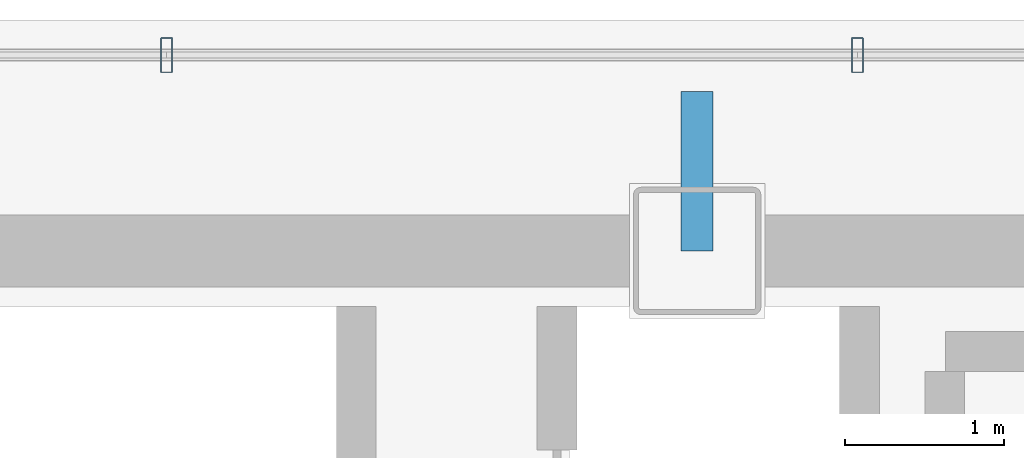
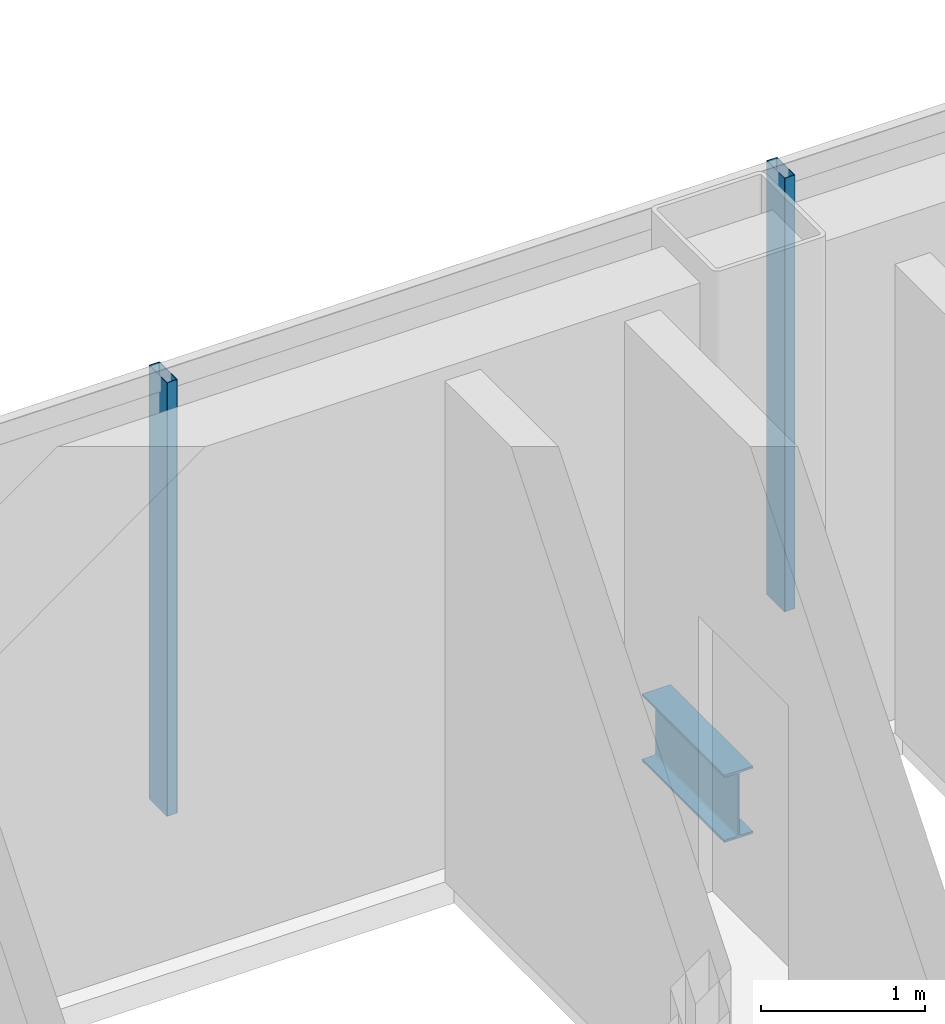
# One storey, part 9 of 15: 2 members, 1 beam, 1 element without a shape of its own.
"""IFC4 building model written with IfcOpenShell, lengths in metres."""

import ifcopenshell
import ifcopenshell.guid

model = None  # the IFC model being written
_history = None  # IfcOwnerHistory: only IFC2X3 demands one
_inside = {}  # id of a spatial element -> (the spatial element, [elements in it])
_under = {}  # id of a project, library or spatial element -> (it, [spatial elements below it])
_declared = {}  # id of a project -> (the project, [libraries it declares])
_typed = {}  # id of a type object -> (the type object, [elements of that type])
_made_of = {}  # id of a material, layer set ... -> (it, [elements and type objects made of it])


def new_model(schema):
    """Start an empty IFC model of exactly this schema.

    Asked for "IFC4X3", IfcOpenShell would pick the latest addendum, in which some entities
    have other attributes; the version numbers below select the first issue.
    IFC2X3 requires an IfcOwnerHistory on every rooted entity: one is made here for all.
    """
    global model, _history
    if schema == "IFC4X3":
        model = ifcopenshell.file(schema_version=(4, 3, 0, 0))
    else:
        model = ifcopenshell.file(schema=schema)
    _inside.clear()
    _under.clear()
    _declared.clear()
    _typed.clear()
    _made_of.clear()
    _history = None
    if model.schema == "IFC2X3":
        org = make("IfcOrganization", Name="unknown")
        user = make(
            "IfcPersonAndOrganization",
            ThePerson=make("IfcPerson", FamilyName="unknown"),
            TheOrganization=org,
        )
        app = make(
            "IfcApplication",
            ApplicationDeveloper=org,
            Version="unknown",
            ApplicationFullName="unknown",
            ApplicationIdentifier="unknown",
        )
        _history = make(
            "IfcOwnerHistory",
            OwningUser=user,
            OwningApplication=app,
            ChangeAction="ADDED",
            CreationDate=0,
        )
    return model


def make(cls, **values):
    """One entity of the class cls with the attributes given. An attribute that is None is left unset."""
    return model.create_entity(
        cls, **{name: value for name, value in values.items() if value is not None}
    )


def rooted(cls, **values):
    """An entity with a GlobalId (a new one), such as an element, a storey or a relation."""
    return make(cls, GlobalId=ifcopenshell.guid.new(), OwnerHistory=_history, **values)


def si_unit(unit_type, name, prefix=None):
    """IfcSIUnit, for example si_unit("LENGTHUNIT", "METRE", prefix="MILLI")."""
    return make("IfcSIUnit", UnitType=unit_type, Prefix=prefix, Name=name)


def assignment(units):
    """IfcUnitAssignment: the units of a project."""
    return None if units is None else make("IfcUnitAssignment", Units=units)


def point(xyz):
    """IfcCartesianPoint."""
    return None if xyz is None else make("IfcCartesianPoint", Coordinates=xyz)


def direction(xyz):
    """IfcDirection."""
    return None if xyz is None else make("IfcDirection", DirectionRatios=xyz)


def frame(location, z_axis=None, x_axis=None):
    """IfcAxis2Placement3D, a coordinate frame: its origin and axes. An axis left out is left unset."""
    return make(
        "IfcAxis2Placement3D",
        Location=point(location),
        Axis=direction(z_axis),
        RefDirection=direction(x_axis),
    )


def frame_2d(location, x_axis=None):
    """IfcAxis2Placement2D, a coordinate frame in the plane: its origin and x axis."""
    return make(
        "IfcAxis2Placement2D", Location=point(location), RefDirection=direction(x_axis)
    )


def origin():
    """The frame at (0, 0, 0) with its axes left unset."""
    return frame((0.0, 0.0, 0.0))


def origin_2d():
    """The frame at (0, 0) in the plane with its x axis left unset."""
    return frame_2d((0.0, 0.0))


def place(relative_to, where):
    """IfcLocalPlacement: puts the frame where relative to a parent placement (None: the world)."""
    return make(
        "IfcLocalPlacement", PlacementRelTo=relative_to, RelativePlacement=where
    )


def context(
    kind, dimensions, precision=None, world=None, true_north=None, identifier=None
):
    """IfcGeometricRepresentationContext, for example the 3D "Model" context."""
    return make(
        "IfcGeometricRepresentationContext",
        ContextIdentifier=identifier,
        ContextType=kind,
        CoordinateSpaceDimension=dimensions,
        Precision=precision,
        WorldCoordinateSystem=world,
        TrueNorth=true_north,
    )


def subcontext(parent, identifier, kind, view, scale=None):
    """IfcGeometricRepresentationSubContext, for example "Body" below "Model"."""
    return make(
        "IfcGeometricRepresentationSubContext",
        ContextIdentifier=identifier,
        ContextType=kind,
        ParentContext=parent,
        TargetScale=scale,
        TargetView=view,
    )


def project(units=None, contexts=None):
    """IfcProject with its units and contexts."""
    return rooted(
        "IfcProject",
        Name="project",
        RepresentationContexts=contexts,
        UnitsInContext=assignment(units),
    )


def spatial(cls, under=None, at=None, **own):
    """A site, building, storey or space (cls), placed at a placement, below another one or the project."""
    s = rooted(cls, ObjectPlacement=at, **own)
    if under is not None:
        _under.setdefault(under.id(), (under, []))[1].append(s)
    return s


def profile(cls, at=None, kind="AREA", **sizes):
    """A parametric profile (cls). Its sizes go by their IFC names, for example OverallWidth=200.0."""
    return make(cls, ProfileType=kind, Position=at, **sizes)


def hollow_rectangle(**sizes):
    """IfcRectangleHollowProfileDef."""
    return profile("IfcRectangleHollowProfileDef", **sizes)


def i_section(**sizes):
    """IfcIShapeProfileDef."""
    return profile("IfcIShapeProfileDef", **sizes)


def extrude(swept, where, along, depth):
    """IfcExtrudedAreaSolid: the profile swept, set in the frame where, extruded along a direction by depth."""
    return make(
        "IfcExtrudedAreaSolid",
        SweptArea=swept,
        Position=where,
        ExtrudedDirection=direction(along),
        Depth=depth,
    )


def shape(context_of_items, identifier, shape_type, items):
    """IfcShapeRepresentation: the items that make up one representation, for example the "Body"."""
    return make(
        "IfcShapeRepresentation",
        ContextOfItems=context_of_items,
        RepresentationIdentifier=identifier,
        RepresentationType=shape_type,
        Items=items,
    )


def material(Name=None, Category=None):
    """IfcMaterial."""
    return make("IfcMaterial", Name=Name, Category=Category)


def material_profile(
    of_material, cross_section, Name=None, Category=None, Priority=None
):
    """IfcMaterialProfile: a cross section and its material."""
    return make(
        "IfcMaterialProfile",
        Name=Name,
        Material=of_material,
        Profile=cross_section,
        Priority=Priority,
        Category=Category,
    )


def profile_set(profiles, Name=None, composite=None):
    """IfcMaterialProfileSet."""
    return make(
        "IfcMaterialProfileSet",
        Name=Name,
        MaterialProfiles=profiles,
        CompositeProfile=composite,
    )


def made_of(thing, what):
    """Note that an element or type object is made of a material, layer set ...; save() writes the relation."""
    if what is not None:
        _made_of.setdefault(what.id(), (what, []))[1].append(thing)
    return thing


def type_object(cls, material=None, **own):
    """A type object (cls), such as IfcWallType, which elements share."""
    return made_of(rooted(cls, **own), material)


def element(
    cls,
    number,
    at=None,
    inside=None,
    cuts=None,
    type_object=None,
    material=None,
    context=None,
    identifier="Body",
    shape_type=None,
    held_by="IfcProductDefinitionShape",
    body=None,
    shapes=None,
    **own,
):
    """One element of the class cls, such as IfcWall. Its Tag is "e" and its number.

    at: its placement. inside: the storey or other place that contains it. cuts: it is an
    opening in that element (IfcRelVoidsElement). A single representation is given by context,
    identifier, shape_type and body (its items); several are given by shapes. held_by: the class
    of the entity that holds the representations. save() writes the other relations.
    """
    e = rooted(cls, Tag="e%d" % number, ObjectPlacement=at, **own)
    if body is not None:
        shapes = [shape(context, identifier, shape_type, body)]
    if shapes is not None:
        e.Representation = make(held_by, Representations=shapes)
    if inside is not None:
        _inside.setdefault(inside.id(), (inside, []))[1].append(e)
    if cuts is not None:
        rooted(
            "IfcRelVoidsElement", RelatingBuildingElement=cuts, RelatedOpeningElement=e
        )
    if type_object is not None:
        _typed.setdefault(type_object.id(), (type_object, []))[1].append(e)
    return made_of(e, material)


def aggregate(whole, parts):
    """IfcRelAggregates: a whole, such as a stair, and the parts it consists of."""
    return rooted("IfcRelAggregates", RelatingObject=whole, RelatedObjects=parts)


def save(model, path):
    """Write the relations noted so far, then the file.

    IfcRelAggregates (storeys below a building ...), IfcRelContainedInSpatialStructure (elements
    in a storey), IfcRelDefinesByType, IfcRelAssociatesMaterial and IfcRelDeclares: one each for
    every whole, place, type object, material and project.
    """
    for whole, parts in _under.values():
        aggregate(whole, parts)
    for where, things in _inside.values():
        rooted(
            "IfcRelContainedInSpatialStructure",
            RelatedElements=things,
            RelatingStructure=where,
        )
    for kind, things in _typed.values():
        rooted("IfcRelDefinesByType", RelatedObjects=things, RelatingType=kind)
    for what, things in _made_of.values():
        rooted("IfcRelAssociatesMaterial", RelatedObjects=things, RelatingMaterial=what)
    for by, libraries in _declared.values():
        rooted("IfcRelDeclares", RelatingContext=by, RelatedDefinitions=libraries)
    model.write(path)


model = new_model("IFC4")

# Units and contexts
model_context = context("Model", 3, precision=1e-05, world=origin(), true_north=direction((0.0, 1.0)))
body_context = subcontext(model_context, "Body", "Model", "MODEL_VIEW")
ifc_project = project(units=[si_unit("LENGTHUNIT", "METRE"), si_unit("AREAUNIT", "SQUARE_METRE"), si_unit("VOLUMEUNIT", "CUBIC_METRE"), si_unit("PLANEANGLEUNIT", "RADIAN"), si_unit("MASSUNIT", "GRAM", prefix="KILO")], contexts=[model_context])

# Site, building, storey
site_placement = place(None, origin())
site = spatial("IfcSite", under=ifc_project, at=site_placement, CompositionType="ELEMENT")
building_placement = place(site_placement, origin())
building = spatial("IfcBuilding", under=site, at=building_placement, Name="Noeulbin Bourse Tower", CompositionType="ELEMENT")
storey_placement = place(building_placement, frame((0.0, 0.0, 222.800048828125)))
storey = spatial("IfcBuildingStorey", under=building, at=storey_placement, Name="L55", CompositionType="ELEMENT", Elevation=222.800048828125)

# Beam
ifc_material_1 = material(Name="Steel S355", Category="steel")
ifc_material_profile_1 = material_profile(ifc_material_1, i_section(OverallWidth=0.199951171875, OverallDepth=0.5, WebThickness=0.010009765625, FlangeThickness=0.01611328125, FilletRadius=0.02001953125, at=origin_2d()), Name="H-500x200x10x16", Category="LoadBearing")
ifc_profile_set_1 = profile_set([ifc_material_profile_1], Name="Steel S355")
beam_type = type_object("IfcBeamType", Name="BM-GRD-500", PredefinedType="USERDEFINED", material=ifc_profile_set_1)
beam_placement = place(storey_placement, frame((37.5, 38.300048828125, -0.429931640625), z_axis=(0.0, 1.0, 0.0), x_axis=(-1.0, 0.0, 0.0)))
element("IfcBeam", 1, at=beam_placement, inside=storey, type_object=beam_type, Name="Tower Primary Girder NS L55-4.4", ObjectType="GIRDER", PredefinedType="USERDEFINED", context=body_context, shape_type="SweptSolid", body=[
    extrude(i_section(OverallWidth=0.199951171875, OverallDepth=0.5, WebThickness=0.010009765625, FlangeThickness=0.01611328125, FilletRadius=0.02001953125, at=origin_2d()), origin(), (0.0, 0.0, 1.0), 1.0),
])

# Curtain wall, members
ifc_material_2 = material(Name="High-Selectivity Low-Iron Glazing", Category="glass")
curtain_wall_type = type_object("IfcCurtainWallType", Name="CW-SYS-4", PredefinedType="NOTDEFINED", material=ifc_material_2)
curtain_wall_placement = place(storey_placement, origin())
curtain_wall = element("IfcCurtainWall", 2, at=curtain_wall_placement, inside=storey, type_object=curtain_wall_type, Name="Unitised Curtain Wall CW-L55-N", PredefinedType="NOTDEFINED")
ifc_material_3 = material(Name="Anodised Aluminium 6063-T6", Category="aluminium")
ifc_material_profile_2 = material_profile(ifc_material_3, hollow_rectangle(XDim=0.074951171875, YDim=0.219970703125, WallThickness=0.0048828125, InnerFilletRadius=0.00244140625, OuterFilletRadius=0.0048828125, at=origin_2d()), Name="ALU-MULL-75x220x5", Category="LoadBearing")
ifc_profile_set_2 = profile_set([ifc_material_profile_2], Name="Anodised Aluminium 6063-T6")
member_type = type_object("IfcMemberType", Name="CW-SYS-4-MUL", PredefinedType="MULLION", material=ifc_profile_set_2)
member_1_placement = place(storey_placement, frame((34.1689453125, 39.530029296875, -0.02001953125), z_axis=(0.0, 0.0, 1.0), x_axis=(1.0, 0.0, 0.0)))
member_1 = element("IfcMember", 3, at=member_1_placement, type_object=member_type, Name="Curtain Wall Mullion CW-L55-N-M05", PredefinedType="MULLION", context=body_context, shape_type="SweptSolid", body=[
    extrude(hollow_rectangle(XDim=0.074951171875, YDim=0.219970703125, WallThickness=0.0048828125, InnerFilletRadius=0.00244140625, OuterFilletRadius=0.0048828125, at=origin_2d()), origin(), (0.0, 0.0, 1.0), 3.219970703125),
])
member_2_placement = place(storey_placement, frame((38.506591796875, 39.530029296875, -0.02001953125), z_axis=(0.0, 0.0, 1.0), x_axis=(1.0, 0.0, 0.0)))
member_2 = element("IfcMember", 4, at=member_2_placement, type_object=member_type, Name="Curtain Wall Mullion CW-L55-N-M06", PredefinedType="MULLION", context=body_context, shape_type="SweptSolid", body=[
    extrude(hollow_rectangle(XDim=0.074951171875, YDim=0.219970703125, WallThickness=0.0048828125, InnerFilletRadius=0.00244140625, OuterFilletRadius=0.0048828125, at=origin_2d()), origin(), (0.0, 0.0, 1.0), 3.219970703125),
])
aggregate(curtain_wall, [member_1, member_2])

save(model, "model.ifc")
